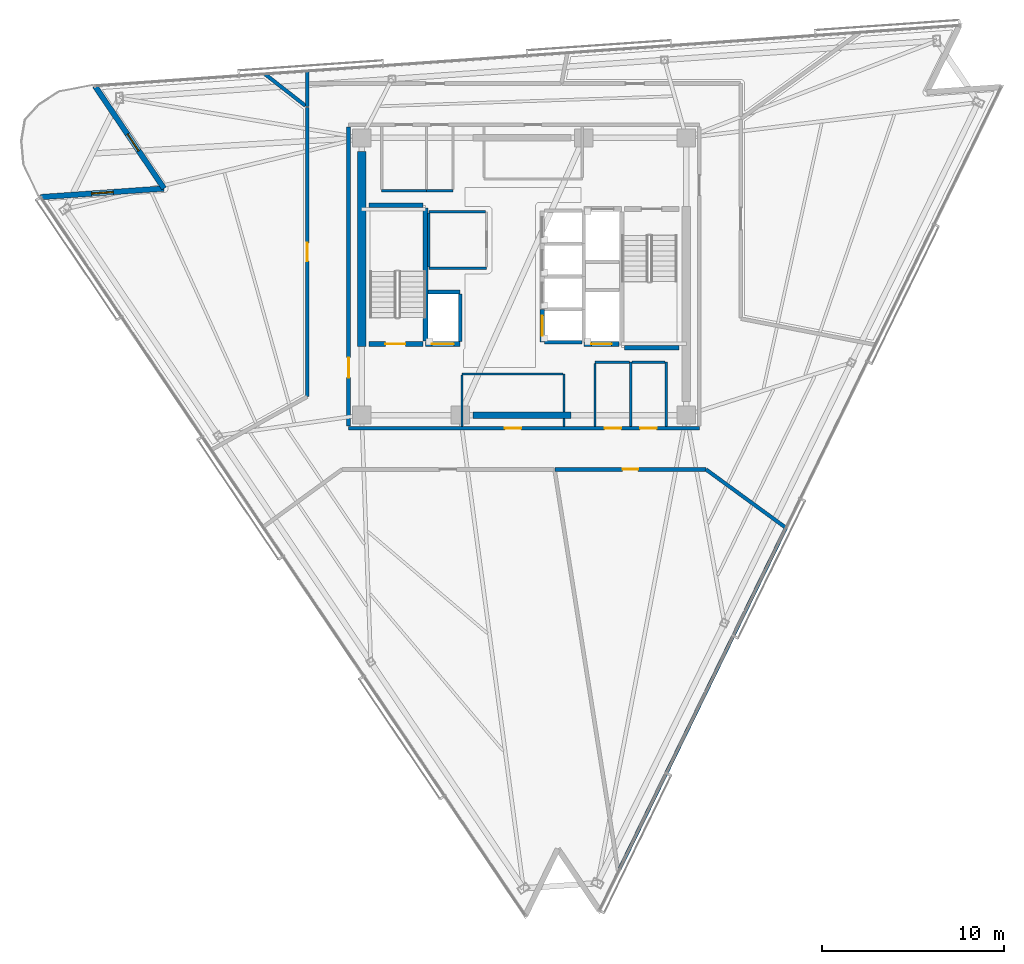
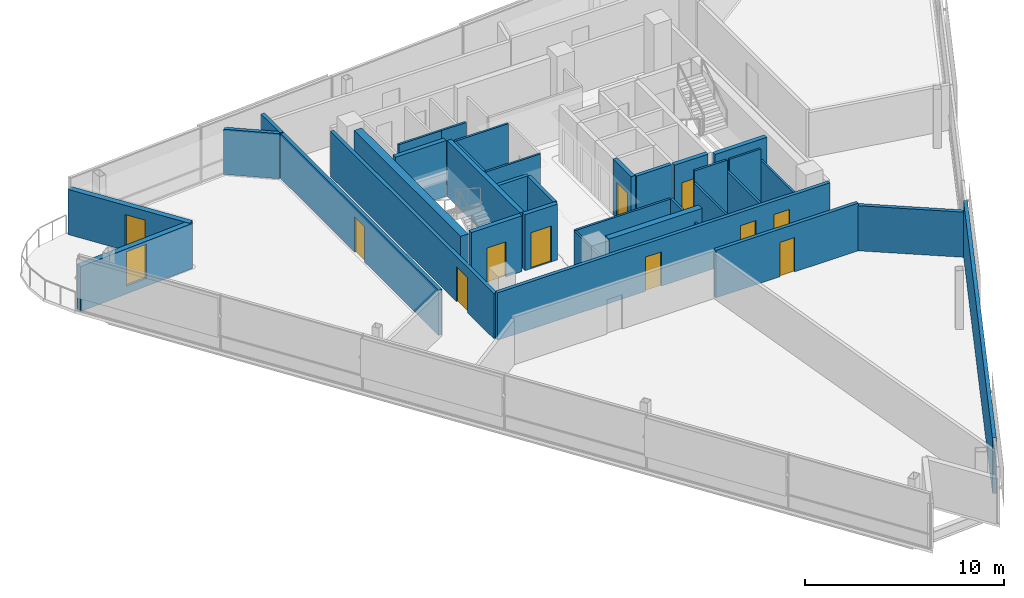
# One storey, part 9 of 15: 36 walls, 11 doors, 1 window, 12 openings.
"""IFC4 building model written with IfcOpenShell, lengths in metres."""

from ifc_helpers import new_model, si_unit, direction, frame, frame_2d, origin, place, context, subcontext, project, spatial, rectangle, extrude, material, layer, layer_set, type_object, element, fill, save


model = new_model("IFC4")

# Units and contexts
model_context = context("Model", 3, precision=1e-05, world=origin(), true_north=direction((0.0, 1.0)))
body_context = subcontext(model_context, "Body", "Model", "MODEL_VIEW")
ifc_project = project(units=[si_unit("LENGTHUNIT", "METRE"), si_unit("AREAUNIT", "SQUARE_METRE"), si_unit("VOLUMEUNIT", "CUBIC_METRE"), si_unit("PLANEANGLEUNIT", "RADIAN"), si_unit("MASSUNIT", "GRAM", prefix="KILO")], contexts=[model_context])

# Site, building, storey
site_placement = place(None, origin())
site = spatial("IfcSite", under=ifc_project, at=site_placement, CompositionType="ELEMENT")
building_placement = place(site_placement, origin())
building = spatial("IfcBuilding", under=site, at=building_placement, Name="Tharavind Bronze Gate", CompositionType="ELEMENT")
storey_placement = place(building_placement, frame((0.0, 0.0, 267.800048828125)))
storey = spatial("IfcBuildingStorey", under=building, at=storey_placement, Name="L69", CompositionType="ELEMENT", Elevation=267.800048828125)

# Wall, opening, door
ifc_material_1 = material(Name="Concrete C40/50", Category="concrete")
ifc_layer_1 = layer(ifc_material_1, 0.300048828125)
ifc_layer_set_1 = layer_set([ifc_layer_1], Name="Concrete C40/50")
wall_type_1 = type_object("IfcWallType", Name="EXTERIOR SPANDREL WALL 300", PredefinedType="STANDARD", material=ifc_layer_set_1)
wall_1_placement = place(storey_placement, frame((-23.52587890625, 10.446044921875, 0.0), z_axis=(0.0, 0.0, 1.0), x_axis=(0.559187716425, -0.829041071238, 0.0)))
wall_1 = element("IfcWall", 1, at=wall_1_placement, inside=storey, type_object=wall_type_1, Name="L69 notch cheek wall 1A", PredefinedType="STANDARD", context=body_context, shape_type="SweptSolid", body=[
    extrude(rectangle(XDim=6.780029296875, YDim=0.300048828125, at=frame_2d((3.39013671875, 0.0))), origin(), (0.0, 0.0, 1.0), 2.764892578125),
])
opening_1_placement = place(wall_1_placement, frame((3.18603515625, 0.0, 0.0)))
opening_1 = element("IfcOpeningElement", 2, at=opening_1_placement, cuts=wall_1, Name="Opening ED04", PredefinedType="OPENING", context=body_context, shape_type="SweptSolid", body=[
    extrude(rectangle(XDim=1.10009765625, YDim=2.199951171875, at=frame_2d((0.550048828125, 1.10009765625))), frame((0.0, 0.15990234375, 0.0), z_axis=(0.0, -1.0, 0.0), x_axis=(1.0, 0.0, 0.0)), (0.0, 0.0, 1.0), 0.320048828125),
])
ifc_material_2 = material(Name="Bronze Aluminium & Toughened Glass", Category="aluminium")
door_type_1 = type_object("IfcDoorType", Name="TREE BALCONY ACCESS DOOR 1100X2200", OperationType="SINGLE_SWING_LEFT", PredefinedType="DOOR", material=ifc_material_2)
door_1_placement = place(opening_1_placement, frame((1.10009765625, 0.0, 0.0), z_axis=(0.0, 0.0, 1.0), x_axis=(-1.0, 0.0, 0.0)))
door_1 = element("IfcDoor", 3, at=door_1_placement, inside=storey, type_object=door_type_1, Name="L69 tree balcony access door", OperationType="SINGLE_SWING_LEFT", OverallHeight=2.199951171875, OverallWidth=1.10009765625, PredefinedType="DOOR", context=body_context, shape_type="SweptSolid", body=[
    extrude(rectangle(XDim=1.10009765625, YDim=2.199951171875, at=frame_2d((0.550048828125, 1.10009765625))), frame((0.0, 0.02490234375, 0.0), z_axis=(0.0, -1.0, 0.0), x_axis=(1.0, 0.0, 0.0)), (0.0, 0.0, 1.0), 0.050048828125),
])
fill(opening_1, door_1)

# Wall, opening, window
wall_2_placement = place(storey_placement, frame((-19.734619140625, 4.8251953125, 0.0), z_axis=(0.0, 0.0, 1.0), x_axis=(-0.997564507468, -0.06974993506, 0.0)))
wall_2 = element("IfcWall", 4, at=wall_2_placement, inside=storey, type_object=wall_type_1, Name="L69 notch cheek wall 1B", PredefinedType="STANDARD", context=body_context, shape_type="SweptSolid", body=[
    extrude(rectangle(XDim=6.780029296875, YDim=0.300048828125, at=frame_2d((3.39013671875, 0.0))), origin(), (0.0, 0.0, 1.0), 2.764892578125),
])
opening_2_placement = place(wall_2_placement, frame((2.7900390625, 0.0, 0.485107421875)))
opening_2 = element("IfcOpeningElement", 5, at=opening_2_placement, cuts=wall_2, Name="Opening W01", PredefinedType="OPENING", context=body_context, shape_type="SweptSolid", body=[
    extrude(rectangle(XDim=1.199951171875, YDim=2.10009765625, at=frame_2d((0.60009765625, 1.050048828125))), frame((0.0, 0.15990234375, 0.0), z_axis=(0.0, -1.0, 0.0), x_axis=(1.0, 0.0, 0.0)), (0.0, 0.0, 1.0), 0.320048828125),
])
ifc_material_3 = material(Name="Bronze Aluminium & Low-E Glass", Category="aluminium")
window_type = type_object("IfcWindowType", Name="FIXED BRONZE CASEMENT WINDOW 1200X2100", PartitioningType="SINGLE_PANEL", PredefinedType="WINDOW", material=ifc_material_3)
window_placement = place(opening_2_placement, origin())
window = element("IfcWindow", 6, at=window_placement, inside=storey, type_object=window_type, Name="L69 exterior window WL-L69-NCA1-01", OverallHeight=2.10009765625, OverallWidth=1.199951171875, PartitioningType="SINGLE_PANEL", PredefinedType="WINDOW", context=body_context, shape_type="SweptSolid", body=[
    extrude(rectangle(XDim=1.199951171875, YDim=2.10009765625, at=frame_2d((0.60009765625, 1.050048828125))), frame((0.0, 0.030029296875, 0.0), z_axis=(0.0, -1.0, 0.0), x_axis=(1.0, 0.0, 0.0)), (0.0, 0.0, 1.0), 0.06005859375),
])
fill(opening_2, window)

# Wall, openings, doors
ifc_material_4 = material(Name="Aerated Concrete Block", Category="concrete")
ifc_layer_2 = layer(ifc_material_4, 0.199951171875)
ifc_layer_set_2 = layer_set([ifc_layer_2], Name="Aerated Concrete Block")
wall_type_2 = type_object("IfcWallType", Name="FIRE RATED PARTITION 200", PredefinedType="PARTITIONING", material=ifc_layer_set_2)
wall_3_placement = place(storey_placement, frame((-9.6201171875, -8.320068359375, 0.0), z_axis=(0.0, 0.0, 1.0), x_axis=(1.0, 0.0, 0.0)))
wall_3 = element("IfcWall", 7, at=wall_3_placement, inside=storey, type_object=wall_type_2, Name="L69 south core corridor wall", PredefinedType="PARTITIONING", context=body_context, shape_type="SweptSolid", body=[
    extrude(rectangle(XDim=19.240234375, YDim=0.199951171875, at=frame_2d((9.6201171875, 0.0))), origin(), (0.0, 0.0, 1.0), 2.9150390625),
])
opening_3_placement = place(wall_3_placement, frame((8.570068359375, 0.0, 0.0)))
opening_3 = element("IfcOpeningElement", 8, at=opening_3_placement, cuts=wall_3, Name="Opening ID07", PredefinedType="OPENING", context=body_context, shape_type="SweptSolid", body=[
    extrude(rectangle(XDim=0.89990234375, YDim=2.10009765625, at=frame_2d((0.449951171875, 1.050048828125))), frame((0.0, 0.11009765625, 0.0), z_axis=(0.0, -1.0, 0.0), x_axis=(1.0, 0.0, 0.0)), (0.0, 0.0, 1.0), 0.219951171875),
])
opening_4_placement = place(wall_3_placement, frame((14.044921875, 0.0, 0.0)))
opening_4 = element("IfcOpeningElement", 9, at=opening_4_placement, cuts=wall_3, Name="Opening ID07", PredefinedType="OPENING", context=body_context, shape_type="SweptSolid", body=[
    extrude(rectangle(XDim=0.89990234375, YDim=2.10009765625, at=frame_2d((0.449951171875, 1.050048828125))), frame((0.0, 0.11009765625, 0.0), z_axis=(0.0, -1.0, 0.0), x_axis=(1.0, 0.0, 0.0)), (0.0, 0.0, 1.0), 0.219951171875),
])
opening_5_placement = place(wall_3_placement, frame((15.9951171875, 0.0, 0.0)))
opening_5 = element("IfcOpeningElement", 10, at=opening_5_placement, cuts=wall_3, Name="Opening ID07", PredefinedType="OPENING", context=body_context, shape_type="SweptSolid", body=[
    extrude(rectangle(XDim=0.89990234375, YDim=2.10009765625, at=frame_2d((0.449951171875, 1.050048828125))), frame((0.0, 0.11009765625, 0.0), z_axis=(0.0, -1.0, 0.0), x_axis=(1.0, 0.0, 0.0)), (0.0, 0.0, 1.0), 0.219951171875),
])
ifc_material_5 = material(Name="Galvanised Fire Steel", Category="steel")
door_type_2 = type_object("IfcDoorType", Name="PLANT AND RISER FIRE DOOR 900X2100", OperationType="SINGLE_SWING_LEFT", PredefinedType="DOOR", material=ifc_material_5)
door_2_placement = place(opening_3_placement, origin())
door_2 = element("IfcDoor", 11, at=door_2_placement, inside=storey, type_object=door_type_2, Name="L69 Core BMS Control Room fire door", OperationType="SINGLE_SWING_LEFT", OverallHeight=2.10009765625, OverallWidth=0.89990234375, PredefinedType="DOOR", context=body_context, shape_type="SweptSolid", body=[
    extrude(rectangle(XDim=0.89990234375, YDim=2.10009765625, at=frame_2d((0.449951171875, 1.050048828125))), frame((0.0, 0.02490234375, 0.0), z_axis=(0.0, -1.0, 0.0), x_axis=(1.0, 0.0, 0.0)), (0.0, 0.0, 1.0), 0.050048828125),
])
fill(opening_3, door_2)
door_3_placement = place(opening_4_placement, origin())
door_3 = element("IfcDoor", 12, at=door_3_placement, inside=storey, type_object=door_type_2, Name="L69 Comms Patch Room fire door", OperationType="SINGLE_SWING_LEFT", OverallHeight=2.10009765625, OverallWidth=0.89990234375, PredefinedType="DOOR", context=body_context, shape_type="SweptSolid", body=[
    extrude(rectangle(XDim=0.89990234375, YDim=2.10009765625, at=frame_2d((0.449951171875, 1.050048828125))), frame((0.0, 0.02490234375, 0.0), z_axis=(0.0, -1.0, 0.0), x_axis=(1.0, 0.0, 0.0)), (0.0, 0.0, 1.0), 0.050048828125),
])
fill(opening_4, door_3)
door_4_placement = place(opening_5_placement, origin())
door_4 = element("IfcDoor", 13, at=door_4_placement, inside=storey, type_object=door_type_2, Name="L69 Housekeeping Store fire door", OperationType="SINGLE_SWING_LEFT", OverallHeight=2.10009765625, OverallWidth=0.89990234375, PredefinedType="DOOR", context=body_context, shape_type="SweptSolid", body=[
    extrude(rectangle(XDim=0.89990234375, YDim=2.10009765625, at=frame_2d((0.449951171875, 1.050048828125))), frame((0.0, 0.02490234375, 0.0), z_axis=(0.0, -1.0, 0.0), x_axis=(1.0, 0.0, 0.0)), (0.0, 0.0, 1.0), 0.050048828125),
])
fill(opening_5, door_4)

# Wall, opening, door
wall_4_placement = place(storey_placement, frame((-9.6201171875, 8.199951171875, 0.0), z_axis=(0.0, 0.0, 1.0), x_axis=(0.0, -1.0, 0.0)))
wall_4 = element("IfcWall", 14, at=wall_4_placement, inside=storey, type_object=wall_type_2, Name="L69 west core corridor wall", PredefinedType="PARTITIONING", context=body_context, shape_type="SweptSolid", body=[
    extrude(rectangle(XDim=16.39990234375, YDim=0.199951171875, at=frame_2d((8.199951171875, 0.0))), origin(), (0.0, 0.0, 1.0), 2.764892578125),
])
opening_6_placement = place(wall_4_placement, frame((12.64990234375, 0.0, 0.0)))
opening_6 = element("IfcOpeningElement", 15, at=opening_6_placement, cuts=wall_4, Name="Opening ID01", PredefinedType="OPENING", context=body_context, shape_type="SweptSolid", body=[
    extrude(rectangle(XDim=1.10009765625, YDim=2.14990234375, at=frame_2d((0.550048828125, 1.074951171875))), frame((0.0, 0.11009765625, 0.0), z_axis=(0.0, -1.0, 0.0), x_axis=(1.0, 0.0, 0.0)), (0.0, 0.0, 1.0), 0.219951171875),
])
ifc_material_6 = material(Name="Fire-Rated Steel", Category="steel")
door_type_3 = type_object("IfcDoorType", Name="STAIR CORE FIRE DOOR 1100X2150", OperationType="SINGLE_SWING_LEFT", PredefinedType="DOOR", material=ifc_material_6)
door_5_placement = place(opening_6_placement, frame((1.10009765625, 0.0, 0.0), z_axis=(0.0, 0.0, 1.0), x_axis=(-1.0, 0.0, 0.0)))
door_5 = element("IfcDoor", 16, at=door_5_placement, inside=storey, type_object=door_type_3, Name="L69 south west stair lobby fire door", OperationType="SINGLE_SWING_LEFT", OverallHeight=2.14990234375, OverallWidth=1.10009765625, PredefinedType="DOOR", context=body_context, shape_type="SweptSolid", body=[
    extrude(rectangle(XDim=1.10009765625, YDim=2.14990234375, at=frame_2d((0.550048828125, 1.074951171875))), frame((0.0, 0.02490234375, 0.0), z_axis=(0.0, -1.0, 0.0), x_axis=(1.0, 0.0, 0.0)), (0.0, 0.0, 1.0), 0.050048828125),
])
fill(opening_6, door_5)

wall_5_placement = place(storey_placement, frame((1.705078125, -10.580078125, 0.0), z_axis=(0.0, 0.0, 1.0), x_axis=(1.0, 0.0, 0.0)))
wall_5 = element("IfcWall", 17, at=wall_5_placement, inside=storey, type_object=wall_type_2, Name="L69 Public Restrooms Block partition", PredefinedType="PARTITIONING", context=body_context, shape_type="SweptSolid", body=[
    extrude(rectangle(XDim=8.264892578125, YDim=0.199951171875, at=frame_2d((4.13232421875, 0.0))), origin(), (0.0, 0.0, 1.0), 2.9150390625),
])
opening_7_placement = place(wall_5_placement, frame((3.7080078125, 0.0, 0.0)))
opening_7 = element("IfcOpeningElement", 18, at=opening_7_placement, cuts=wall_5, Name="Opening ID06", PredefinedType="OPENING", context=body_context, shape_type="SweptSolid", body=[
    extrude(rectangle(XDim=0.85009765625, YDim=2.10009765625, at=frame_2d((0.425048828125, 1.050048828125))), frame((0.0, 0.11009765625, 0.0), z_axis=(0.0, -1.0, 0.0), x_axis=(1.0, 0.0, 0.0)), (0.0, 0.0, 1.0), 0.219951171875),
])
ifc_material_7 = material(Name="Moisture-Resistant Timber", Category="wood")
door_type_4 = type_object("IfcDoorType", Name="BATHROOM PRIVACY DOOR 850X2100", OperationType="SINGLE_SWING_RIGHT", PredefinedType="DOOR", material=ifc_material_7)
door_6_placement = place(opening_7_placement, origin())
door_6 = element("IfcDoor", 19, at=door_6_placement, inside=storey, type_object=door_type_4, Name="L69 Public Restrooms Block door", OperationType="SINGLE_SWING_RIGHT", OverallHeight=2.10009765625, OverallWidth=0.85009765625, PredefinedType="DOOR", context=body_context, shape_type="SweptSolid", body=[
    extrude(rectangle(XDim=0.85009765625, YDim=2.10009765625, at=frame_2d((0.425048828125, 1.050048828125))), frame((0.0, 0.02490234375, 0.0), z_axis=(0.0, -1.0, 0.0), x_axis=(1.0, 0.0, 0.0)), (0.0, 0.0, 1.0), 0.050048828125),
])
fill(opening_7, door_6)

# Walls
wall_6_placement = place(storey_placement, frame((9.98486328125, -10.584716796875, 0.0), z_axis=(0.0, 0.0, 1.0), x_axis=(0.807837864592, -0.589404771386, 0.0)))
element("IfcWall", 20, at=wall_6_placement, inside=storey, type_object=wall_type_2, Name="L69 Public Restrooms Block partition", PredefinedType="PARTITIONING", context=body_context, shape_type="SweptSolid", body=[
    extrude(rectangle(XDim=5.424072265625, YDim=0.199951171875, at=frame_2d((2.7119140625, 0.0))), origin(), (0.0, 0.0, 1.0), 2.764892578125),
])
wall_7_placement = place(storey_placement, frame((14.361083984375, -13.793212890625, 0.0), z_axis=(0.0, 0.0, 1.0), x_axis=(-0.438372717421, -0.898793280249, 0.0)))
element("IfcWall", 21, at=wall_7_placement, inside=storey, type_object=wall_type_2, Name="L69 Public Restrooms Block partition", PredefinedType="PARTITIONING", context=body_context, shape_type="SweptSolid", body=[
    extrude(rectangle(XDim=20.784423828125, YDim=0.199951171875, at=frame_2d((10.39208984375, 0.0))), origin(), (0.0, 0.0, 1.0), 3.419921875),
])
wall_8_placement = place(storey_placement, frame((-11.8798828125, 11.260498046875, 0.0), z_axis=(0.0, 0.0, 1.0), x_axis=(0.0, -1.0, 0.0)))
element("IfcWall", 22, at=wall_8_placement, inside=storey, type_object=wall_type_2, Name="L69 Chambers Study A partition", PredefinedType="PARTITIONING", context=body_context, shape_type="SweptSolid", body=[
    extrude(rectangle(XDim=1.927490234375, YDim=0.199951171875, at=frame_2d((0.9638671875, 0.0))), origin(), (0.0, 0.0, 1.0), 2.764892578125),
])
wall_9_placement = place(storey_placement, frame((-11.985107421875, 9.36376953125, 0.0), z_axis=(0.0, 0.0, 1.0), x_axis=(-0.787996776596, 0.615679364664, 0.0)))
element("IfcWall", 23, at=wall_9_placement, inside=storey, type_object=wall_type_2, Name="L69 Chambers Study A partition", PredefinedType="PARTITIONING", context=body_context, shape_type="SweptSolid", body=[
    extrude(rectangle(XDim=2.816650390625, YDim=0.199951171875, at=frame_2d((1.408203125, 0.0))), origin(), (0.0, 0.0, 1.0), 2.764892578125),
])

# Wall, opening, door
wall_10_placement = place(storey_placement, frame((-11.8798828125, 9.26953125, 0.0), z_axis=(0.0, 0.0, 1.0), x_axis=(0.0, -1.0, 0.0)))
wall_10 = element("IfcWall", 24, at=wall_10_placement, inside=storey, type_object=wall_type_2, Name="L69 Dispute Resolution Office partition", PredefinedType="PARTITIONING", context=body_context, shape_type="SweptSolid", body=[
    extrude(rectangle(XDim=15.840087890625, YDim=0.199951171875, at=frame_2d((7.919921875, 0.0))), origin(), (0.0, 0.0, 1.0), 2.764892578125),
])
opening_8_placement = place(wall_10_placement, frame((7.419921875, 0.0, 0.0)))
opening_8 = element("IfcOpeningElement", 25, at=opening_8_placement, cuts=wall_10, Name="Opening ID04", PredefinedType="OPENING", context=body_context, shape_type="SweptSolid", body=[
    extrude(rectangle(XDim=1.0, YDim=2.14990234375, at=frame_2d((0.5, 1.074951171875))), frame((0.0, 0.11009765625, 0.0), z_axis=(0.0, -1.0, 0.0), x_axis=(1.0, 0.0, 0.0)), (0.0, 0.0, 1.0), 0.219951171875),
])
ifc_material_8 = material(Name="Bronze Framed Acoustic Timber", Category="wood")
door_type_5 = type_object("IfcDoorType", Name="OFFICE TENANCY DOOR 1000X2150", OperationType="SINGLE_SWING_RIGHT", PredefinedType="DOOR", material=ifc_material_8)
door_7_placement = place(opening_8_placement, origin())
door_7 = element("IfcDoor", 26, at=door_7_placement, inside=storey, type_object=door_type_5, Name="L69 Dispute Resolution Office door", OperationType="SINGLE_SWING_RIGHT", OverallHeight=2.14990234375, OverallWidth=1.0, PredefinedType="DOOR", context=body_context, shape_type="SweptSolid", body=[
    extrude(rectangle(XDim=1.0, YDim=2.14990234375, at=frame_2d((0.5, 1.074951171875))), frame((0.0, 0.02490234375, 0.0), z_axis=(0.0, -1.0, 0.0), x_axis=(1.0, 0.0, 0.0)), (0.0, 0.0, 1.0), 0.050048828125),
])
fill(opening_8, door_7)

# Walls
ifc_material_9 = material(Name="Metal Stud Gypsum Partition", Category="gypsum")
ifc_layer_3 = layer(ifc_material_9, 0.1201171875)
ifc_layer_set_3 = layer_set([ifc_layer_3], Name="Metal Stud Gypsum Partition")
wall_type_3 = type_object("IfcWallType", Name="INTERIOR PARTITION WALL 120", PredefinedType="PARTITIONING", material=ifc_layer_set_3)
wall_11_placement = place(storey_placement, frame((-5.219970703125, 0.449951171875, 0.0), z_axis=(0.0, 0.0, 1.0), x_axis=(1.0, 0.0, 0.0)))
element("IfcWall", 27, at=wall_11_placement, inside=storey, type_object=wall_type_3, Name="L69 Electrical & Telecom Store partition 1", PredefinedType="PARTITIONING", context=body_context, shape_type="SweptSolid", body=[
    extrude(rectangle(XDim=3.169921875, YDim=0.1201171875, at=frame_2d((1.5849609375, 0.0))), origin(), (0.0, 0.0, 1.0), 3.419921875),
])
wall_12_placement = place(storey_placement, frame((-2.114990234375, 3.550048828125, 0.0), z_axis=(0.0, 0.0, 1.0), x_axis=(-1.0, 0.0, 0.0)))
element("IfcWall", 28, at=wall_12_placement, inside=storey, type_object=wall_type_3, Name="L69 Electrical & Telecom Store partition 3", PredefinedType="PARTITIONING", context=body_context, shape_type="SweptSolid", body=[
    extrude(rectangle(XDim=3.10498046875, YDim=0.1201171875, at=frame_2d((1.552490234375, 0.0))), origin(), (0.0, 0.0, 1.0), 3.419921875),
])
wall_13_placement = place(storey_placement, frame((-5.219970703125, 3.485107421875, 0.0), z_axis=(0.0, 0.0, 1.0), x_axis=(0.0, -1.0, 0.0)))
element("IfcWall", 29, at=wall_13_placement, inside=storey, type_object=wall_type_3, Name="L69 Electrical & Telecom Store partition 4", PredefinedType="PARTITIONING", context=body_context, shape_type="SweptSolid", body=[
    extrude(rectangle(XDim=2.97021484375, YDim=0.1201171875, at=frame_2d((1.485107421875, 0.0))), origin(), (0.0, 0.0, 1.0), 3.419921875),
])
wall_14_placement = place(storey_placement, frame((2.199951171875, -8.215087890625, 0.0), z_axis=(0.0, 0.0, 1.0), x_axis=(0.0, 1.0, 0.0)))
element("IfcWall", 30, at=wall_14_placement, inside=storey, type_object=wall_type_3, Name="L69 Core BMS Control Room partition 2", PredefinedType="PARTITIONING", context=body_context, shape_type="SweptSolid", body=[
    extrude(rectangle(XDim=0.43505859375, YDim=0.1201171875, at=frame_2d((0.217529296875, 0.0))), origin(), (0.0, 0.0, 1.0), 2.71484375),
])
wall_15_placement = place(storey_placement, frame((2.199951171875, -7.419921875, 0.0), z_axis=(0.0, 0.0, 1.0), x_axis=(0.0, 1.0, 0.0)))
element("IfcWall", 31, at=wall_15_placement, inside=storey, type_object=wall_type_3, Name="L69 Core BMS Control Room partition 2", PredefinedType="PARTITIONING", context=body_context, shape_type="SweptSolid", body=[
    extrude(rectangle(XDim=2.06982421875, YDim=0.1201171875, at=frame_2d((1.034912109375, 0.0))), origin(), (0.0, 0.0, 1.0), 2.71484375),
])
wall_16_placement = place(storey_placement, frame((2.135009765625, -5.35009765625, 0.0), z_axis=(0.0, 0.0, 1.0), x_axis=(-1.0, 0.0, 0.0)))
element("IfcWall", 32, at=wall_16_placement, inside=storey, type_object=wall_type_3, Name="L69 Core BMS Control Room partition 3", PredefinedType="PARTITIONING", context=body_context, shape_type="SweptSolid", body=[
    extrude(rectangle(XDim=5.534912109375, YDim=0.1201171875, at=frame_2d((2.767578125, 0.0))), origin(), (0.0, 0.0, 1.0), 2.71484375),
])
wall_17_placement = place(storey_placement, frame((-3.39990234375, -5.4150390625, 0.0), z_axis=(0.0, 0.0, 1.0), x_axis=(0.0, -1.0, 0.0)))
element("IfcWall", 33, at=wall_17_placement, inside=storey, type_object=wall_type_3, Name="L69 Core BMS Control Room partition 4", PredefinedType="PARTITIONING", context=body_context, shape_type="SweptSolid", body=[
    extrude(rectangle(XDim=2.800048828125, YDim=0.1201171875, at=frame_2d((1.39990234375, 0.0))), origin(), (0.0, 0.0, 1.0), 2.71484375),
])
wall_18_placement = place(storey_placement, frame((-7.800048828125, 4.699951171875, 0.0), z_axis=(0.0, 0.0, 1.0), x_axis=(1.0, 0.0, 0.0)))
element("IfcWall", 34, at=wall_18_placement, inside=storey, type_object=wall_type_3, Name="L69 Electrical Metering Room partition 1", PredefinedType="PARTITIONING", context=body_context, shape_type="SweptSolid", body=[
    extrude(rectangle(XDim=2.449951171875, YDim=0.1201171875, at=frame_2d((1.22509765625, 0.0))), origin(), (0.0, 0.0, 1.0), 3.419921875),
])
wall_19_placement = place(storey_placement, frame((-5.35009765625, 4.699951171875, 0.0), z_axis=(0.0, 0.0, 1.0), x_axis=(1.0, 0.0, 0.0)))
element("IfcWall", 35, at=wall_19_placement, inside=storey, type_object=wall_type_3, Name="L69 Linen Cupboard partition 1", PredefinedType="PARTITIONING", context=body_context, shape_type="SweptSolid", body=[
    extrude(rectangle(XDim=1.4501953125, YDim=0.1201171875, at=frame_2d((0.72509765625, 0.0))), origin(), (0.0, 0.0, 1.0), 3.419921875),
])
wall_20_placement = place(storey_placement, frame((5.85009765625, -8.215087890625, 0.0), z_axis=(0.0, 0.0, 1.0), x_axis=(0.0, 1.0, 0.0)))
element("IfcWall", 36, at=wall_20_placement, inside=storey, type_object=wall_type_3, Name="L69 Comms Patch Room partition 2", PredefinedType="PARTITIONING", context=body_context, shape_type="SweptSolid", body=[
    extrude(rectangle(XDim=3.51513671875, YDim=0.1201171875, at=frame_2d((1.757568359375, 0.0))), origin(), (0.0, 0.0, 1.0), 2.71484375),
])
wall_21_placement = place(storey_placement, frame((5.784912109375, -4.699951171875, 0.0), z_axis=(0.0, 0.0, 1.0), x_axis=(-1.0, 0.0, 0.0)))
element("IfcWall", 37, at=wall_21_placement, inside=storey, type_object=wall_type_3, Name="L69 Comms Patch Room partition 3", PredefinedType="PARTITIONING", context=body_context, shape_type="SweptSolid", body=[
    extrude(rectangle(XDim=1.885009765625, YDim=0.1201171875, at=frame_2d((0.9423828125, 0.0))), origin(), (0.0, 0.0, 1.0), 3.419921875),
])
wall_22_placement = place(storey_placement, frame((3.89990234375, -4.764892578125, 0.0), z_axis=(0.0, 0.0, 1.0), x_axis=(0.0, -1.0, 0.0)))
element("IfcWall", 38, at=wall_22_placement, inside=storey, type_object=wall_type_3, Name="L69 Comms Patch Room partition 4", PredefinedType="PARTITIONING", context=body_context, shape_type="SweptSolid", body=[
    extrude(rectangle(XDim=3.4501953125, YDim=0.1201171875, at=frame_2d((1.72509765625, 0.0))), origin(), (0.0, 0.0, 1.0), 2.71484375),
])
wall_23_placement = place(storey_placement, frame((7.800048828125, -8.215087890625, 0.0), z_axis=(0.0, 0.0, 1.0), x_axis=(0.0, 1.0, 0.0)))
element("IfcWall", 39, at=wall_23_placement, inside=storey, type_object=wall_type_3, Name="L69 Housekeeping Store partition 2", PredefinedType="PARTITIONING", context=body_context, shape_type="SweptSolid", body=[
    extrude(rectangle(XDim=3.51513671875, YDim=0.1201171875, at=frame_2d((1.757568359375, 0.0))), origin(), (0.0, 0.0, 1.0), 2.71484375),
])
wall_24_placement = place(storey_placement, frame((7.735107421875, -4.699951171875, 0.0), z_axis=(0.0, 0.0, 1.0), x_axis=(-1.0, 0.0, 0.0)))
element("IfcWall", 40, at=wall_24_placement, inside=storey, type_object=wall_type_3, Name="L69 Housekeeping Store partition 3", PredefinedType="PARTITIONING", context=body_context, shape_type="SweptSolid", body=[
    extrude(rectangle(XDim=1.820068359375, YDim=0.1201171875, at=frame_2d((0.91015625, 0.0))), origin(), (0.0, 0.0, 1.0), 3.419921875),
])
ifc_material_10 = material(Name="Concrete C50/60", Category="concrete")
ifc_layer_4 = layer(ifc_material_10, 0.25)
ifc_layer_set_4 = layer_set([ifc_layer_4], Name="Concrete C50/60")
wall_type_4 = type_object("IfcWallType", Name="RC CORE SHEAR WALL 250", PredefinedType="SHEAR", material=ifc_layer_set_4)
wall_25_placement = place(storey_placement, frame((-5.39990234375, -3.550048828125, 0.0), z_axis=(0.0, 0.0, 1.0), x_axis=(0.0, 1.0, 0.0)))
element("IfcWall", 41, at=wall_25_placement, inside=storey, type_object=wall_type_4, Name="L69 ST1 shaft east wall", PredefinedType="SHEAR", context=body_context, shape_type="SweptSolid", body=[
    extrude(rectangle(XDim=7.300048828125, YDim=0.25, at=frame_2d((3.64990234375, 0.0))), origin(), (0.0, 0.0, 1.0), 3.419921875),
])

# Wall, opening, door
wall_26_placement = place(storey_placement, frame((-8.5, -3.699951171875, 0.0), z_axis=(0.0, 0.0, 1.0), x_axis=(1.0, 0.0, 0.0)))
wall_26 = element("IfcWall", 42, at=wall_26_placement, inside=storey, type_object=wall_type_4, Name="L69 ST1 shaft south wall", PredefinedType="SHEAR", context=body_context, shape_type="SweptSolid", body=[
    extrude(rectangle(XDim=2.949951171875, YDim=0.25, at=frame_2d((1.47509765625, 0.0))), origin(), (0.0, 0.0, 1.0), 3.419921875),
])
opening_9_placement = place(wall_26_placement, frame((0.89990234375, 0.0, 0.0)))
opening_9 = element("IfcOpeningElement", 43, at=opening_9_placement, cuts=wall_26, Name="Opening ID01", PredefinedType="OPENING", context=body_context, shape_type="SweptSolid", body=[
    extrude(rectangle(XDim=1.10009765625, YDim=2.14990234375, at=frame_2d((0.550048828125, 1.074951171875))), frame((0.0, 0.135, 0.0), z_axis=(0.0, -1.0, 0.0), x_axis=(1.0, 0.0, 0.0)), (0.0, 0.0, 1.0), 0.27),
])
door_8_placement = place(opening_9_placement, origin())
door_8 = element("IfcDoor", 44, at=door_8_placement, inside=storey, type_object=door_type_3, Name="L69 exit stair ST1 fire door", OperationType="SINGLE_SWING_LEFT", OverallHeight=2.14990234375, OverallWidth=1.10009765625, PredefinedType="DOOR", context=body_context, shape_type="SweptSolid", body=[
    extrude(rectangle(XDim=1.10009765625, YDim=2.14990234375, at=frame_2d((0.550048828125, 1.074951171875))), frame((0.0, 0.02490234375, 0.0), z_axis=(0.0, -1.0, 0.0), x_axis=(1.0, 0.0, 0.0)), (0.0, 0.0, 1.0), 0.050048828125),
])
fill(opening_9, door_8)

# Walls
wall_27_placement = place(storey_placement, frame((-8.5, 3.89990234375, 0.0), z_axis=(0.0, 0.0, 1.0), x_axis=(1.0, 0.0, 0.0)))
element("IfcWall", 45, at=wall_27_placement, inside=storey, type_object=wall_type_4, Name="L69 ST1 shaft north wall", PredefinedType="SHEAR", context=body_context, shape_type="SweptSolid", body=[
    extrude(rectangle(XDim=2.949951171875, YDim=0.25, at=frame_2d((1.47509765625, 0.0))), origin(), (0.0, 0.0, 1.0), 3.419921875),
])
wall_28_placement = place(storey_placement, frame((5.5, -3.89990234375, 0.0), z_axis=(0.0, 0.0, 1.0), x_axis=(1.0, 0.0, 0.0)))
element("IfcWall", 46, at=wall_28_placement, inside=storey, type_object=wall_type_4, Name="L69 ST2 shaft south wall", PredefinedType="SHEAR", context=body_context, shape_type="SweptSolid", body=[
    extrude(rectangle(XDim=3.0, YDim=0.25, at=frame_2d((1.5, 0.0))), origin(), (0.0, 0.0, 1.0), 3.419921875),
])

# Wall, opening, door
wall_29_placement = place(storey_placement, frame((1.0, -3.60009765625, 0.0), z_axis=(0.0, 0.0, 1.0), x_axis=(0.0, 1.0, 0.0)))
wall_29 = element("IfcWall", 47, at=wall_29_placement, inside=storey, type_object=wall_type_4, Name="L69 lift PL9 shaft front wall", PredefinedType="SHEAR", context=body_context, shape_type="SweptSolid", body=[
    extrude(rectangle(XDim=1.800048828125, YDim=0.25, at=frame_2d((0.89990234375, 0.0))), origin(), (0.0, 0.0, 1.0), 3.419921875),
])
opening_10_placement = place(wall_29_placement, frame((0.35009765625, 0.0, 0.0)))
opening_10 = element("IfcOpeningElement", 48, at=opening_10_placement, cuts=wall_29, Name="Opening LD01", PredefinedType="OPENING", context=body_context, shape_type="SweptSolid", body=[
    extrude(rectangle(XDim=1.10009765625, YDim=2.199951171875, at=frame_2d((0.550048828125, 1.10009765625))), frame((0.0, 0.135, 0.0), z_axis=(0.0, -1.0, 0.0), x_axis=(1.0, 0.0, 0.0)), (0.0, 0.0, 1.0), 0.27),
])
ifc_material_11 = material(Name="Brushed Bronze Stainless Steel", Category="steel")
door_type_6 = type_object("IfcDoorType", Name="LIFT LANDING SLIDING DOOR 1100X2200", OperationType="SLIDING_TO_LEFT", PredefinedType="DOOR", material=ifc_material_11)
door_9_placement = place(opening_10_placement, origin())
door_9 = element("IfcDoor", 49, at=door_9_placement, inside=storey, type_object=door_type_6, Name="L69 lift PL9 sliding landing door", OperationType="SLIDING_TO_LEFT", OverallHeight=2.199951171875, OverallWidth=1.10009765625, PredefinedType="DOOR", context=body_context, shape_type="SweptSolid", body=[
    extrude(rectangle(XDim=1.10009765625, YDim=2.199951171875, at=frame_2d((0.550048828125, 1.10009765625))), frame((0.0, 0.02490234375, 0.0), z_axis=(0.0, -1.0, 0.0), x_axis=(1.0, 0.0, 0.0)), (0.0, 0.0, 1.0), 0.050048828125),
])
fill(opening_10, door_9)

wall_30_placement = place(storey_placement, frame((-5.39990234375, -3.699951171875, 0.0), z_axis=(0.0, 0.0, 1.0), x_axis=(1.0, 0.0, 0.0)))
wall_30 = element("IfcWall", 50, at=wall_30_placement, inside=storey, type_object=wall_type_4, Name="L69 lift FFL1 shaft front wall", PredefinedType="SHEAR", context=body_context, shape_type="SweptSolid", body=[
    extrude(rectangle(XDim=1.89990234375, YDim=0.25, at=frame_2d((0.949951171875, 0.0))), origin(), (0.0, 0.0, 1.0), 3.419921875),
])
opening_11_placement = place(wall_30_placement, frame((0.35009765625, 0.0, 0.0)))
opening_11 = element("IfcOpeningElement", 51, at=opening_11_placement, cuts=wall_30, Name="Opening LD02", PredefinedType="OPENING", context=body_context, shape_type="SweptSolid", body=[
    extrude(rectangle(XDim=1.199951171875, YDim=2.199951171875, at=frame_2d((0.60009765625, 1.10009765625))), frame((0.0, 0.135, 0.0), z_axis=(0.0, -1.0, 0.0), x_axis=(1.0, 0.0, 0.0)), (0.0, 0.0, 1.0), 0.27),
])
ifc_material_12 = material(Name="Brushed Stainless Steel", Category="steel")
door_type_7 = type_object("IfcDoorType", Name="FIREFIGHTING LIFT LANDING DOOR 1200X2200", OperationType="SLIDING_TO_RIGHT", PredefinedType="DOOR", material=ifc_material_12)
door_10_placement = place(opening_11_placement, origin())
door_10 = element("IfcDoor", 52, at=door_10_placement, inside=storey, type_object=door_type_7, Name="L69 lift FFL1 sliding landing door", OperationType="SLIDING_TO_RIGHT", OverallHeight=2.199951171875, OverallWidth=1.199951171875, PredefinedType="DOOR", context=body_context, shape_type="SweptSolid", body=[
    extrude(rectangle(XDim=1.199951171875, YDim=2.199951171875, at=frame_2d((0.60009765625, 1.10009765625))), frame((0.0, 0.02490234375, 0.0), z_axis=(0.0, -1.0, 0.0), x_axis=(1.0, 0.0, 0.0)), (0.0, 0.0, 1.0), 0.050048828125),
])
fill(opening_11, door_10)

wall_31_placement = place(storey_placement, frame((3.280029296875, -3.699951171875, 0.0), z_axis=(0.0, 0.0, 1.0), x_axis=(1.0, 0.0, 0.0)))
wall_31 = element("IfcWall", 53, at=wall_31_placement, inside=storey, type_object=wall_type_4, Name="L69 lift SVL1 shaft front wall", PredefinedType="SHEAR", context=body_context, shape_type="SweptSolid", body=[
    extrude(rectangle(XDim=1.93994140625, YDim=0.25, at=frame_2d((0.969970703125, 0.0))), origin(), (0.0, 0.0, 1.0), 3.419921875),
])
opening_12_placement = place(wall_31_placement, frame((0.419921875, 0.0, 0.0)))
opening_12 = element("IfcOpeningElement", 54, at=opening_12_placement, cuts=wall_31, Name="Opening LD01", PredefinedType="OPENING", context=body_context, shape_type="SweptSolid", body=[
    extrude(rectangle(XDim=1.10009765625, YDim=2.199951171875, at=frame_2d((0.550048828125, 1.10009765625))), frame((0.0, 0.135, 0.0), z_axis=(0.0, -1.0, 0.0), x_axis=(1.0, 0.0, 0.0)), (0.0, 0.0, 1.0), 0.27),
])
door_11_placement = place(opening_12_placement, origin())
door_11 = element("IfcDoor", 55, at=door_11_placement, inside=storey, type_object=door_type_6, Name="L69 lift SVL1 sliding landing door", OperationType="SLIDING_TO_LEFT", OverallHeight=2.199951171875, OverallWidth=1.10009765625, PredefinedType="DOOR", context=body_context, shape_type="SweptSolid", body=[
    extrude(rectangle(XDim=1.10009765625, YDim=2.199951171875, at=frame_2d((0.550048828125, 1.10009765625))), frame((0.0, 0.02490234375, 0.0), z_axis=(0.0, -1.0, 0.0), x_axis=(1.0, 0.0, 0.0)), (0.0, 0.0, 1.0), 0.050048828125),
])
fill(opening_12, door_11)

# Walls
ifc_layer_5 = layer(ifc_material_10, 0.35009765625)
ifc_layer_set_5 = layer_set([ifc_layer_5], Name="Concrete C50/60")
wall_type_5 = type_object("IfcWallType", Name="RC CORE SHEAR WALL 350", PredefinedType="SHEAR", material=ifc_layer_set_5)
wall_32_placement = place(storey_placement, frame((-2.800048828125, -7.60009765625, 0.0), z_axis=(0.0, 0.0, 1.0), x_axis=(1.0, 0.0, 0.0)))
element("IfcWall", 56, at=wall_32_placement, inside=storey, type_object=wall_type_5, Name="L69 south core shear wall", PredefinedType="SHEAR", context=body_context, shape_type="SweptSolid", body=[
    extrude(rectangle(XDim=5.380126953125, YDim=0.35009765625, at=frame_2d((2.68994140625, 0.0))), origin(), (0.0, 0.0, 1.0), 3.419921875),
])
ifc_material_13 = material(Name="Concrete C60/75", Category="concrete")
ifc_layer_6 = layer(ifc_material_13, 0.449951171875)
ifc_layer_set_6 = layer_set([ifc_layer_6], Name="Concrete C60/75")
wall_type_6 = type_object("IfcWallType", Name="RC CORE SHEAR WALL 450", PredefinedType="SHEAR", material=ifc_layer_set_6)
wall_33_placement = place(storey_placement, frame((-8.89990234375, -3.85009765625, 0.0), z_axis=(0.0, 0.0, 1.0), x_axis=(0.0, 1.0, 0.0)))
element("IfcWall", 57, at=wall_33_placement, inside=storey, type_object=wall_type_6, Name="L69 west core shear wall", PredefinedType="SHEAR", context=body_context, shape_type="SweptSolid", body=[
    extrude(rectangle(XDim=10.7001953125, YDim=0.449951171875, at=frame_2d((5.35009765625, 0.0))), origin(), (0.0, 0.0, 1.0), 3.419921875),
])
ifc_layer_7 = layer(ifc_material_1, 0.199951171875)
ifc_layer_set_7 = layer_set([ifc_layer_7], Name="Concrete C40/50")
wall_type_7 = type_object("IfcWallType", Name="SHAFT ENCLOSURE WALL 200", PredefinedType="PARTITIONING", material=ifc_layer_set_7)
wall_34_placement = place(storey_placement, frame((1.1298828125, -3.60009765625, 0.0), z_axis=(0.0, 0.0, 1.0), x_axis=(1.0, 0.0, 0.0)))
element("IfcWall", 58, at=wall_34_placement, inside=storey, type_object=wall_type_7, Name="L69 lift PL9 shaft S enclosure wall", PredefinedType="PARTITIONING", context=body_context, shape_type="SweptSolid", body=[
    extrude(rectangle(XDim=2.045166015625, YDim=0.199951171875, at=frame_2d((1.0224609375, 0.0))), origin(), (0.0, 0.0, 1.0), 3.419921875),
])
wall_35_placement = place(storey_placement, frame((-5.27001953125, -0.85009765625, 0.0), z_axis=(0.0, 0.0, 1.0), x_axis=(1.0, 0.0, 0.0)))
element("IfcWall", 59, at=wall_35_placement, inside=storey, type_object=wall_type_7, Name="L69 lift FFL1 shaft N enclosure wall", PredefinedType="PARTITIONING", context=body_context, shape_type="SweptSolid", body=[
    extrude(rectangle(XDim=1.77001953125, YDim=0.199951171875, at=frame_2d((0.885009765625, 0.0))), origin(), (0.0, 0.0, 1.0), 3.419921875),
])
wall_36_placement = place(storey_placement, frame((-3.5, -3.570068359375, 0.0), z_axis=(0.0, 0.0, 1.0), x_axis=(0.0, 1.0, 0.0)))
element("IfcWall", 60, at=wall_36_placement, inside=storey, type_object=wall_type_7, Name="L69 lift FFL1 shaft E enclosure wall", PredefinedType="PARTITIONING", context=body_context, shape_type="SweptSolid", body=[
    extrude(rectangle(XDim=2.614990234375, YDim=0.199951171875, at=frame_2d((1.3076171875, 0.0))), origin(), (0.0, 0.0, 1.0), 3.419921875),
])

save(model, "model.ifc")
